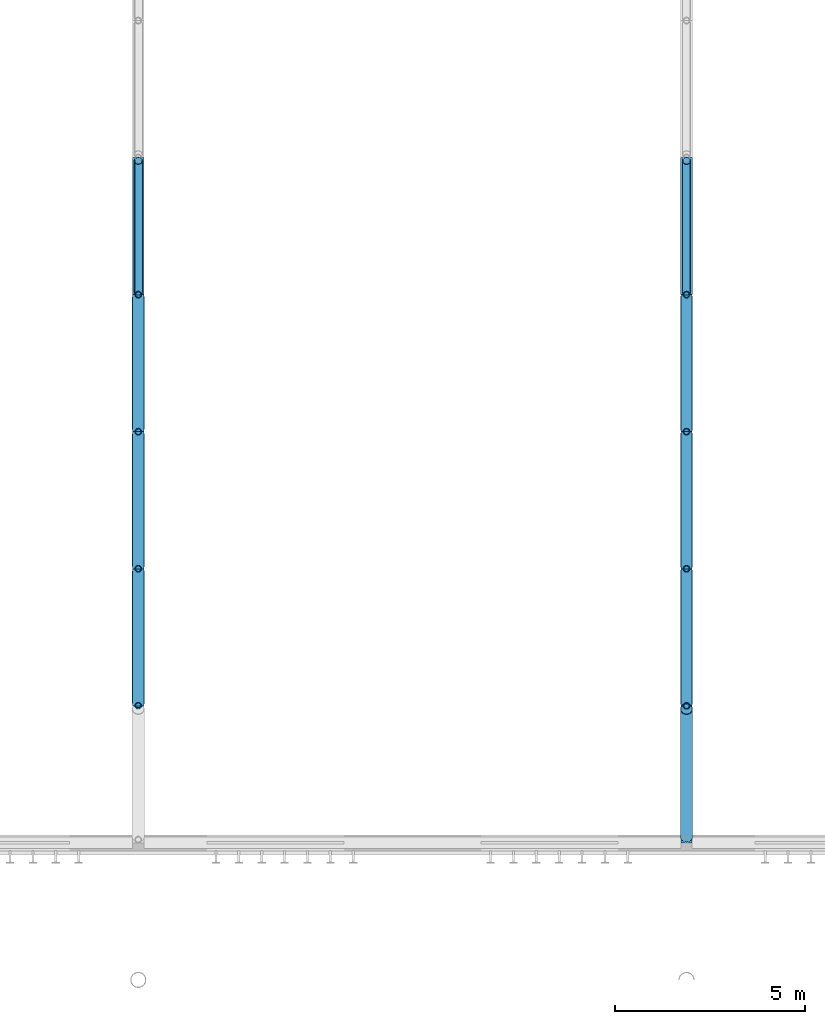
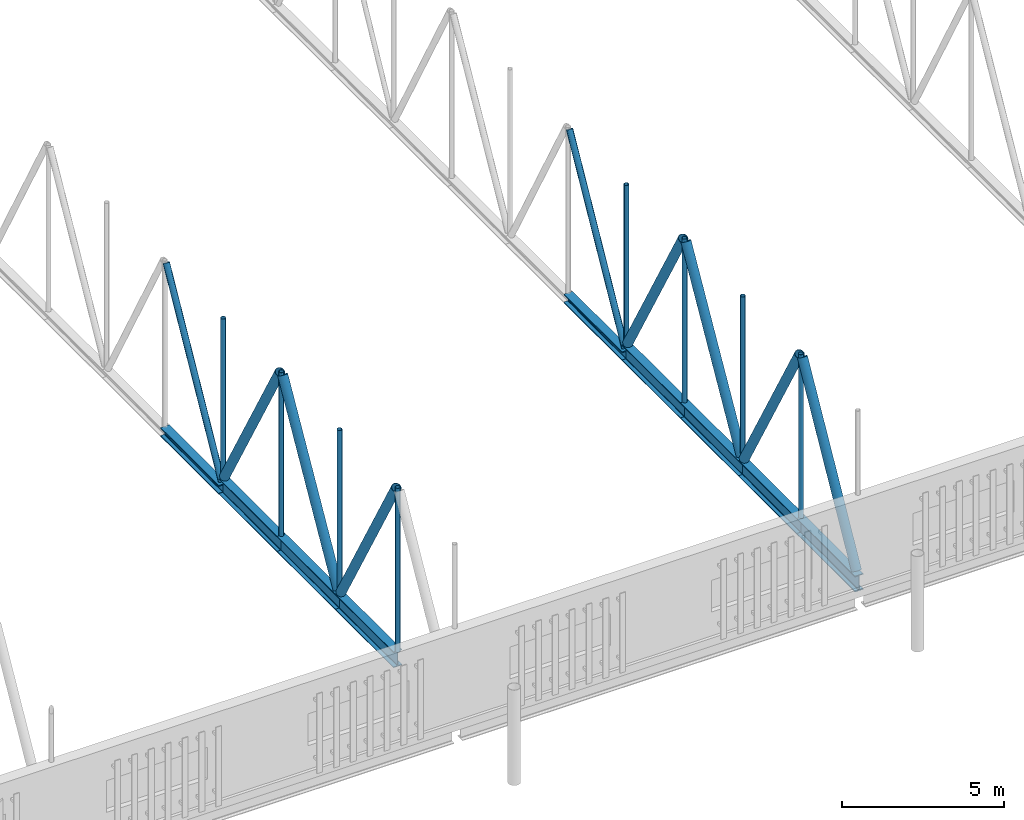
# One storey, part 35 of 142: 26 members.
"""IFC4 building model written with IfcOpenShell, lengths in metres."""

from ifc_helpers import new_model, si_unit, direction, frame, origin, origin_2d, place, context, subcontext, project, spatial, hollow_circle, i_section, extrude, material, material_profile, profile_set, type_object, element, save


model = new_model("IFC4")

# Units and contexts
model_context = context("Model", 3, precision=1e-05, world=origin(), true_north=direction((0.0, 1.0)))
body_context = subcontext(model_context, "Body", "Model", "MODEL_VIEW")
ifc_project = project(units=[si_unit("LENGTHUNIT", "METRE"), si_unit("AREAUNIT", "SQUARE_METRE"), si_unit("VOLUMEUNIT", "CUBIC_METRE"), si_unit("PLANEANGLEUNIT", "RADIAN"), si_unit("MASSUNIT", "GRAM", prefix="KILO")], contexts=[model_context])

# Site, building, storey
site_placement = place(None, origin())
site = spatial("IfcSite", under=ifc_project, at=site_placement, CompositionType="ELEMENT")
building_placement = place(site_placement, origin())
building = spatial("IfcBuilding", under=site, at=building_placement, Name="Kupolbacken Congress Centre", CompositionType="ELEMENT")
storey_placement = place(building_placement, frame((0.0, 0.0, 14.39990234375)))
storey = spatial("IfcBuildingStorey", under=building, at=storey_placement, Name="L04", CompositionType="ELEMENT", Elevation=14.39990234375)

# Members
ifc_material_1 = material(Name="Steel S355", Category="steel")
ifc_material_profile_1 = material_profile(ifc_material_1, i_section(OverallWidth=0.31005859375, OverallDepth=0.340087890625, WebThickness=0.02099609375, FlangeThickness=0.0390625, FilletRadius=0.027099609375, at=origin_2d()), Name="HEM 300")
ifc_profile_set_1 = profile_set([ifc_material_profile_1], Name="Steel S355")
member_type_1 = type_object("IfcMemberType", Name="M01 transfer truss chord HEM 300", PredefinedType="CHORD", material=ifc_profile_set_1)
for number, where, z_axis, x_axis, name in (
    (1, (108.0, 57.60009765625, 0.16015625), (0.0, 1.0, 0.0), (-1.0, 0.0, 0.0), "HT/T2/BC05"),
    (2, (122.39990234375, 57.60009765625, 0.16015625), (0.0, 1.0, 0.0), (-1.0, 0.0, 0.0), "HT/T3/BC05"),
):
    element("IfcMember", number, at=place(storey_placement, frame(where, z_axis=z_axis, x_axis=x_axis)), inside=storey, type_object=member_type_1, Name=name, PredefinedType="CHORD", context=body_context, shape_type="SweptSolid", body=[
        extrude(i_section(OverallWidth=0.31005859375, OverallDepth=0.340087890625, WebThickness=0.02099609375, FlangeThickness=0.0390625, FilletRadius=0.027099609375, at=origin_2d()), origin(), (0.0, 0.0, 1.0), 3.599853515625),
    ])
ifc_material_2 = material(Name="Steel S355", Category="steel")
ifc_material_profile_2 = material_profile(ifc_material_2, i_section(OverallWidth=0.300048828125, OverallDepth=0.60009765625, WebThickness=0.015380859375, FlangeThickness=0.030029296875, FilletRadius=0.027099609375, at=origin_2d()), Name="HEB 600")
ifc_profile_set_2 = profile_set([ifc_material_profile_2], Name="Steel S355")
member_type_2 = type_object("IfcMemberType", Name="M02 transfer truss chord HEB 600", PredefinedType="CHORD", material=ifc_profile_set_2)
member_1_placement = place(storey_placement, frame((108.0, 46.800048828125, 0.2900390625), z_axis=(0.0, 1.0, 0.0), x_axis=(-1.0, 0.0, 0.0)))
element("IfcMember", 3, at=member_1_placement, inside=storey, type_object=member_type_2, Name="HT/T2/BC02", PredefinedType="CHORD", context=body_context, shape_type="SweptSolid", body=[
    extrude(i_section(OverallWidth=0.300048828125, OverallDepth=0.60009765625, WebThickness=0.015380859375, FlangeThickness=0.030029296875, FilletRadius=0.027099609375, at=origin_2d()), origin(), (0.0, 0.0, 1.0), 3.599853515625),
])
for number, where, z_axis, x_axis, name in (
    (4, (108.0, 50.39990234375, 0.2900390625), (0.0, 1.0, 0.0), (-1.0, 0.0, 0.0), "HT/T2/BC03"),
    (5, (108.0, 54.0, 0.2900390625), (0.0, 1.0, 0.0), (-1.0, 0.0, 0.0), "HT/T2/BC04"),
    (6, (122.39990234375, 43.199951171875, 0.2900390625), (0.0, 1.0, 0.0), (-1.0, 0.0, 0.0), "HT/T3/BC01"),
):
    element("IfcMember", number, at=place(storey_placement, frame(where, z_axis=z_axis, x_axis=x_axis)), inside=storey, type_object=member_type_2, Name=name, PredefinedType="CHORD", context=body_context, shape_type="SweptSolid", body=[
        extrude(i_section(OverallWidth=0.300048828125, OverallDepth=0.60009765625, WebThickness=0.015380859375, FlangeThickness=0.030029296875, FilletRadius=0.027099609375, at=origin_2d()), origin(), (0.0, 0.0, 1.0), 3.60009765625),
    ])
member_2_placement = place(storey_placement, frame((122.39990234375, 46.800048828125, 0.2900390625), z_axis=(0.0, 1.0, 0.0), x_axis=(-1.0, 0.0, 0.0)))
element("IfcMember", 7, at=member_2_placement, inside=storey, type_object=member_type_2, Name="HT/T3/BC02", PredefinedType="CHORD", context=body_context, shape_type="SweptSolid", body=[
    extrude(i_section(OverallWidth=0.300048828125, OverallDepth=0.60009765625, WebThickness=0.015380859375, FlangeThickness=0.030029296875, FilletRadius=0.027099609375, at=origin_2d()), origin(), (0.0, 0.0, 1.0), 3.599853515625),
])
for number, where, z_axis, x_axis, name in (
    (8, (122.39990234375, 50.39990234375, 0.2900390625), (0.0, 1.0, 0.0), (-1.0, 0.0, 0.0), "HT/T3/BC03"),
    (9, (122.39990234375, 54.0, 0.2900390625), (0.0, 1.0, 0.0), (-1.0, 0.0, 0.0), "HT/T3/BC04"),
):
    element("IfcMember", number, at=place(storey_placement, frame(where, z_axis=z_axis, x_axis=x_axis)), inside=storey, type_object=member_type_2, Name=name, PredefinedType="CHORD", context=body_context, shape_type="SweptSolid", body=[
        extrude(i_section(OverallWidth=0.300048828125, OverallDepth=0.60009765625, WebThickness=0.015380859375, FlangeThickness=0.030029296875, FilletRadius=0.027099609375, at=origin_2d()), origin(), (0.0, 0.0, 1.0), 3.60009765625),
    ])
ifc_material_3 = material(Name="Steel S355", Category="steel")
ifc_material_profile_3 = material_profile(ifc_material_3, hollow_circle(Radius=0.161865234375, WallThickness=0.012451171875, at=origin_2d()), Name="CHS 323.9 x 12.5")
ifc_profile_set_3 = profile_set([ifc_material_profile_3], Name="Steel S355")
member_type_3 = type_object("IfcMemberType", Name="M04 transfer truss web CHS 323.9 x 12.5", PredefinedType="BRACE", material=ifc_profile_set_3)
member_3_placement = place(storey_placement, frame((108.0, 46.884033203125, 6.69140625), z_axis=(0.0, 0.494482554546, -0.869187553552), x_axis=(-1.0, 0.0, 0.0)))
element("IfcMember", 10, at=member_3_placement, inside=storey, type_object=member_type_3, Name="HT/T2/D02", PredefinedType="BRACE", context=body_context, shape_type="SweptSolid", body=[
    extrude(hollow_circle(Radius=0.161865234375, WallThickness=0.012451171875, at=origin_2d()), origin(), (0.0, 0.0, 1.0), 6.9404296875),
])
for number, where, z_axis, x_axis, name in (
    (11, (108.0, 50.484130859375, 0.658935546875), (0.0, 0.494455978115, 0.869202672399), (-1.0, 0.0, 0.0), "HT/T2/D03"),
    (12, (108.0, 54.084228515625, 6.69140625), (0.0, 0.494455978115, -0.869202672399), (-1.0, 0.0, 0.0), "HT/T2/D04"),
):
    element("IfcMember", number, at=place(storey_placement, frame(where, z_axis=z_axis, x_axis=x_axis)), inside=storey, type_object=member_type_3, Name=name, PredefinedType="BRACE", context=body_context, shape_type="SweptSolid", body=[
        extrude(hollow_circle(Radius=0.161865234375, WallThickness=0.012451171875, at=origin_2d()), origin(), (0.0, 0.0, 1.0), 6.940185546875),
    ])
member_4_placement = place(storey_placement, frame((122.39990234375, 43.368408203125, 0.6572265625), z_axis=(0.0, 0.485009080024, 0.874509115043), x_axis=(-1.0, 0.0, 0.0)))
element("IfcMember", 13, at=member_4_placement, inside=storey, type_object=member_type_3, Name="HT/T3/D01", PredefinedType="BRACE", context=body_context, shape_type="SweptSolid", body=[
    extrude(hollow_circle(Radius=0.161865234375, WallThickness=0.012451171875, at=origin_2d()), origin(), (0.0, 0.0, 1.0), 6.90185546875),
])
member_5_placement = place(storey_placement, frame((122.39990234375, 46.884033203125, 6.69140625), z_axis=(0.0, 0.494482554546, -0.869187553552), x_axis=(-1.0, 0.0, 0.0)))
element("IfcMember", 14, at=member_5_placement, inside=storey, type_object=member_type_3, Name="HT/T3/D02", PredefinedType="BRACE", context=body_context, shape_type="SweptSolid", body=[
    extrude(hollow_circle(Radius=0.161865234375, WallThickness=0.012451171875, at=origin_2d()), origin(), (0.0, 0.0, 1.0), 6.9404296875),
])
for number, where, z_axis, x_axis, name in (
    (15, (122.39990234375, 50.484130859375, 0.658935546875), (0.0, 0.494455978115, 0.869202672399), (-1.0, 0.0, 0.0), "HT/T3/D03"),
    (16, (122.39990234375, 54.084228515625, 6.69140625), (0.0, 0.494455978115, -0.869202672399), (-1.0, 0.0, 0.0), "HT/T3/D04"),
):
    element("IfcMember", number, at=place(storey_placement, frame(where, z_axis=z_axis, x_axis=x_axis)), inside=storey, type_object=member_type_3, Name=name, PredefinedType="BRACE", context=body_context, shape_type="SweptSolid", body=[
        extrude(hollow_circle(Radius=0.161865234375, WallThickness=0.012451171875, at=origin_2d()), origin(), (0.0, 0.0, 1.0), 6.940185546875),
    ])
ifc_material_4 = material(Name="Steel S355", Category="steel")
ifc_material_profile_4 = material_profile(ifc_material_4, hollow_circle(Radius=0.109619140625, WallThickness=0.010009765625, at=origin_2d()), Name="CHS 219.1 x 10")
ifc_profile_set_4 = profile_set([ifc_material_profile_4], Name="Steel S355")
member_type_4 = type_object("IfcMemberType", Name="M05 transfer truss web CHS 219.1 x 10", PredefinedType="BRACE", material=ifc_profile_set_4)
for number, where, z_axis, x_axis, name in (
    (17, (108.0, 57.68408203125, 0.372802734375), (0.0, 0.485197410842, 0.87440463889), (-1.0, 0.0, 0.0), "HT/T2/D05"),
    (18, (122.39990234375, 57.68408203125, 0.372802734375), (0.0, 0.485197410842, 0.87440463889), (-1.0, 0.0, 0.0), "HT/T3/D05"),
):
    element("IfcMember", number, at=place(storey_placement, frame(where, z_axis=z_axis, x_axis=x_axis)), inside=storey, type_object=member_type_4, Name=name, PredefinedType="BRACE", context=body_context, shape_type="SweptSolid", body=[
        extrude(hollow_circle(Radius=0.109619140625, WallThickness=0.010009765625, at=origin_2d()), origin(), (0.0, 0.0, 1.0), 7.0732421875),
    ])
ifc_material_5 = material(Name="Steel S355", Category="steel")
ifc_material_profile_5 = material_profile(ifc_material_5, hollow_circle(Radius=0.084228515625, WallThickness=0.008056640625, at=origin_2d()), Name="CHS 168.3 x 8")
ifc_profile_set_5 = profile_set([ifc_material_profile_5], Name="Steel S355")
member_type_5 = type_object("IfcMemberType", Name="M20 transfer truss post CHS 168.3 x 8", PredefinedType="STRUT", material=ifc_profile_set_5)
for number, where, z_axis, x_axis, name in (
    (19, (108.0, 46.800048828125, 0.580078125), (0.0, 0.0, 1.0), (0.0, 1.0, 0.0), "HT/T2/P01"),
    (20, (108.0, 50.39990234375, 0.580078125), (0.0, 0.0, 1.0), (0.0, 1.0, 0.0), "HT/T2/P02"),
    (21, (108.0, 54.0, 0.580078125), (0.0, 0.0, 1.0), (0.0, 1.0, 0.0), "HT/T2/P03"),
):
    element("IfcMember", number, at=place(storey_placement, frame(where, z_axis=z_axis, x_axis=x_axis)), inside=storey, type_object=member_type_5, Name=name, PredefinedType="STRUT", context=body_context, shape_type="SweptSolid", body=[
        extrude(hollow_circle(Radius=0.084228515625, WallThickness=0.008056640625, at=origin_2d()), origin(), (0.0, 0.0, 1.0), 6.18994140625),
    ])
member_6_placement = place(storey_placement, frame((108.0, 57.60009765625, 0.580078125), z_axis=(0.0, 0.0, 1.0), x_axis=(0.0, 1.0, 0.0)))
element("IfcMember", 22, at=member_6_placement, inside=storey, type_object=member_type_5, Name="HT/T2/P04", PredefinedType="STRUT", context=body_context, shape_type="SweptSolid", body=[
    extrude(hollow_circle(Radius=0.084228515625, WallThickness=0.008056640625, at=origin_2d()), origin(), (0.0, 0.0, 1.0), 6.030029296875),
])
for number, where, z_axis, x_axis, name in (
    (23, (122.39990234375, 46.800048828125, 0.580078125), (0.0, 0.0, 1.0), (0.0, 1.0, 0.0), "HT/T3/P01"),
    (24, (122.39990234375, 50.39990234375, 0.580078125), (0.0, 0.0, 1.0), (0.0, 1.0, 0.0), "HT/T3/P02"),
    (25, (122.39990234375, 54.0, 0.580078125), (0.0, 0.0, 1.0), (0.0, 1.0, 0.0), "HT/T3/P03"),
):
    element("IfcMember", number, at=place(storey_placement, frame(where, z_axis=z_axis, x_axis=x_axis)), inside=storey, type_object=member_type_5, Name=name, PredefinedType="STRUT", context=body_context, shape_type="SweptSolid", body=[
        extrude(hollow_circle(Radius=0.084228515625, WallThickness=0.008056640625, at=origin_2d()), origin(), (0.0, 0.0, 1.0), 6.18994140625),
    ])
member_7_placement = place(storey_placement, frame((122.39990234375, 57.60009765625, 0.580078125), z_axis=(0.0, 0.0, 1.0), x_axis=(0.0, 1.0, 0.0)))
element("IfcMember", 26, at=member_7_placement, inside=storey, type_object=member_type_5, Name="HT/T3/P04", PredefinedType="STRUT", context=body_context, shape_type="SweptSolid", body=[
    extrude(hollow_circle(Radius=0.084228515625, WallThickness=0.008056640625, at=origin_2d()), origin(), (0.0, 0.0, 1.0), 6.030029296875),
])

save(model, "model.ifc")
